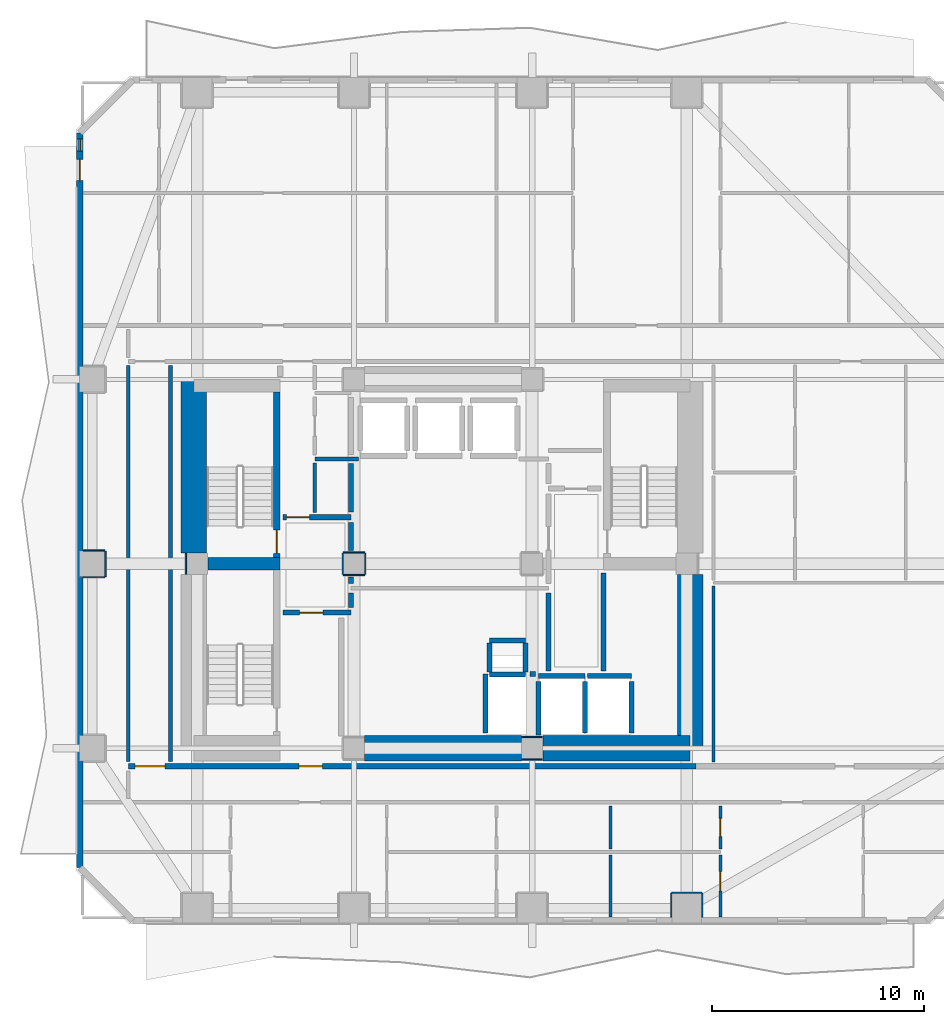
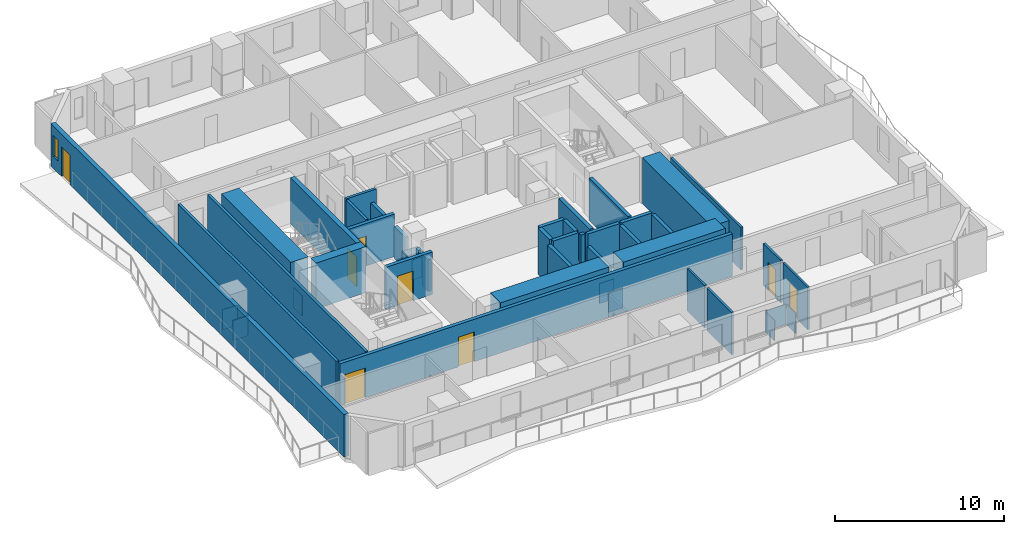
# One storey, part 3 of 11: 49 walls, 8 doors, 1 window, 9 openings.
"""IFC4 building model written with IfcOpenShell, lengths in metres."""

from ifc_helpers import new_model, si_unit, direction, frame, frame_2d, origin, place, context, subcontext, project, spatial, rectangle, extrude, material, layer, layer_set, type_object, element, fill, save


model = new_model("IFC4")

# Units and contexts
model_context = context("Model", 3, precision=1e-05, world=origin(), true_north=direction((0.0, 1.0)))
body_context = subcontext(model_context, "Body", "Model", "MODEL_VIEW")
ifc_project = project(units=[si_unit("LENGTHUNIT", "METRE"), si_unit("AREAUNIT", "SQUARE_METRE"), si_unit("VOLUMEUNIT", "CUBIC_METRE"), si_unit("PLANEANGLEUNIT", "RADIAN"), si_unit("MASSUNIT", "GRAM", prefix="KILO")], contexts=[model_context])

# Site, building, storey
site_placement = place(None, origin())
site = spatial("IfcSite", under=ifc_project, at=site_placement, CompositionType="ELEMENT")
building_placement = place(site_placement, origin())
building = spatial("IfcBuilding", under=site, at=building_placement, Name="Solanera Arch Residences", CompositionType="ELEMENT")
storey_placement = place(building_placement, frame((0.0, 0.0, 71.800048828125)))
storey = spatial("IfcBuildingStorey", under=building, at=storey_placement, Name="L20", CompositionType="ELEMENT", Elevation=71.800048828125)

# Walls
ifc_material_1 = material(Name="Fire-Rated Gypsum Stud Partition", Category="gypsum")
ifc_layer_1 = layer(ifc_material_1, 0.06005859375)
ifc_layer_set_1 = layer_set([ifc_layer_1], Name="Fire-Rated Gypsum Stud Partition")
wall_type_1 = type_object("IfcWallType", Name="Column Acoustic Furring Wall 60", PredefinedType="PARTITIONING", material=ifc_layer_set_1)
for number, where, z_axis, x_axis, name in (
    (1, (28.7099609375, 21.468017578125, 0.0), (0.0, 0.0, 1.0), (1.0, 0.0, 0.0), "L20 Column Furring 2S"),
    (2, (28.7099609375, 22.531982421875, 0.0), (0.0, 0.0, 1.0), (1.0, 0.0, 0.0), "L20 Column Furring 2N"),
    (3, (12.867919921875, 30.2099609375, 0.0), (0.0, 0.0, 1.0), (0.0, 1.0, 0.0), "L20 Column Furring 5W"),
):
    element("IfcWall", number, at=place(storey_placement, frame(where, z_axis=z_axis, x_axis=x_axis)), inside=storey, type_object=wall_type_1, Name=name, PredefinedType="PARTITIONING", context=body_context, shape_type="SweptSolid", body=[
        extrude(rectangle(XDim=0.97998046875, YDim=0.06005859375, at=frame_2d((0.489990234375, 0.0))), origin(), (0.0, 0.0, 1.0), 1.449951171875),
    ])
for number, where, z_axis, x_axis, name in (
    (4, (20.300048828125, 30.16796875, 0.0), (0.0, 0.0, 1.0), (1.0, 0.0, 0.0), "L20 Column Furring 7S"),
    (5, (20.300048828125, 31.23193359375, 0.0), (0.0, 0.0, 1.0), (1.0, 0.0, 0.0), "L20 Column Furring 7N"),
    (6, (20.26806640625, 30.199951171875, 0.0), (0.0, 0.0, 1.0), (0.0, 1.0, 0.0), "L20 Column Furring 7W"),
    (7, (21.33203125, 30.199951171875, 0.0), (0.0, 0.0, 1.0), (0.0, 1.0, 0.0), "L20 Column Furring 7E"),
):
    element("IfcWall", number, at=place(storey_placement, frame(where, z_axis=z_axis, x_axis=x_axis)), inside=storey, type_object=wall_type_1, Name=name, PredefinedType="PARTITIONING", context=body_context, shape_type="SweptSolid", body=[
        extrude(rectangle(XDim=1.0, YDim=0.06005859375, at=frame_2d((0.5, 0.0))), origin(), (0.0, 0.0, 1.0), 1.449951171875),
    ])
wall_1_placement = place(storey_placement, frame((35.800048828125, 15.181884765625, 0.0), z_axis=(0.0, 0.0, 1.0), x_axis=(1.0, 0.0, 0.0)))
element("IfcWall", 8, at=wall_1_placement, inside=storey, type_object=wall_type_1, Name="L20 Column Furring 15N", PredefinedType="PARTITIONING", context=body_context, shape_type="SweptSolid", body=[
    extrude(rectangle(XDim=1.39990234375, YDim=0.06005859375, at=frame_2d((0.699951171875, 0.0))), origin(), (0.0, 0.0, 1.0), 1.449951171875),
])
for number, where, z_axis, x_axis, name in (
    (9, (35.76806640625, 14.030029296875, 0.0), (0.0, 0.0, 1.0), (0.0, 1.0, 0.0), "L20 Column Furring 15W"),
    (10, (37.23193359375, 14.030029296875, 0.0), (0.0, 0.0, 1.0), (0.0, 1.0, 0.0), "L20 Column Furring 15E"),
):
    element("IfcWall", number, at=place(storey_placement, frame(where, z_axis=z_axis, x_axis=x_axis)), inside=storey, type_object=wall_type_1, Name=name, PredefinedType="PARTITIONING", context=body_context, shape_type="SweptSolid", body=[
        extrude(rectangle(XDim=1.119873046875, YDim=0.06005859375, at=frame_2d((0.56005859375, 0.0))), origin(), (0.0, 0.0, 1.0), 1.449951171875),
    ])
for number, where, z_axis, x_axis, name in (
    (11, (8.030029296875, 30.068115234375, 0.0), (0.0, 0.0, 1.0), (1.0, 0.0, 0.0), "L20 Column Furring 19S"),
    (12, (8.030029296875, 31.33203125, 0.0), (0.0, 0.0, 1.0), (1.0, 0.0, 0.0), "L20 Column Furring 19N"),
):
    element("IfcWall", number, at=place(storey_placement, frame(where, z_axis=z_axis, x_axis=x_axis)), inside=storey, type_object=wall_type_1, Name=name, PredefinedType="PARTITIONING", context=body_context, shape_type="SweptSolid", body=[
        extrude(rectangle(XDim=1.02001953125, YDim=0.06005859375, at=frame_2d((0.510009765625, 0.0))), origin(), (0.0, 0.0, 1.0), 1.449951171875),
    ])
wall_2_placement = place(storey_placement, frame((9.08203125, 30.10009765625, 0.0), z_axis=(0.0, 0.0, 1.0), x_axis=(0.0, 1.0, 0.0)))
element("IfcWall", 13, at=wall_2_placement, inside=storey, type_object=wall_type_1, Name="L20 Column Furring 19E", PredefinedType="PARTITIONING", context=body_context, shape_type="SweptSolid", body=[
    extrude(rectangle(XDim=1.199951171875, YDim=0.06005859375, at=frame_2d((0.60009765625, 0.0))), origin(), (0.0, 0.0, 1.0), 1.449951171875),
])
ifc_material_2 = material(Name="Concrete C55/67 (f'c = 60 MPa)", Category="concrete")
ifc_layer_2 = layer(ifc_material_2, 1.199951171875)
ifc_layer_set_2 = layer_set([ifc_layer_2], Name="Concrete C55/67 (f'c = 60 MPa)")
wall_type_2 = type_object("IfcWallType", Name="Core Shear Wall CW-1200", PredefinedType="SHEAR", material=ifc_layer_set_2)
wall_3_placement = place(storey_placement, frame((13.239990234375, 31.205078125, 0.0), z_axis=(0.0, 0.0, 1.0), x_axis=(0.0, 1.0, 0.0)))
element("IfcWall", 14, at=wall_3_placement, inside=storey, type_object=wall_type_2, Name="L20 West Core North Shear Wall", PredefinedType="SHEAR", context=body_context, shape_type="SweptSolid", body=[
    extrude(rectangle(XDim=8.19482421875, YDim=1.199951171875, at=frame_2d((4.097412109375, 0.0))), origin(), (0.0, 0.0, 1.0), 3.320068359375),
])
wall_4_placement = place(storey_placement, frame((36.659912109375, 22.0, 0.0), z_axis=(0.0, 0.0, 1.0), x_axis=(0.0, 1.0, 0.0)))
element("IfcWall", 15, at=wall_4_placement, inside=storey, type_object=wall_type_2, Name="L20 East Core South Shear Wall", PredefinedType="SHEAR", context=body_context, shape_type="SweptSolid", body=[
    extrude(rectangle(XDim=8.195068359375, YDim=1.199951171875, at=frame_2d((4.09765625, 0.0))), origin(), (0.0, 0.0, 1.0), 3.320068359375),
])
wall_5_placement = place(storey_placement, frame((29.705078125, 22.0, 0.0), z_axis=(0.0, 0.0, 1.0), x_axis=(1.0, 0.0, 0.0)))
element("IfcWall", 16, at=wall_5_placement, inside=storey, type_object=wall_type_2, Name="L20 South-East Core Shear Wall", PredefinedType="SHEAR", context=body_context, shape_type="SweptSolid", body=[
    extrude(rectangle(XDim=6.954833984375, YDim=1.199951171875, at=frame_2d((3.4775390625, 0.0))), origin(), (0.0, 0.0, 1.0), 3.320068359375),
])
wall_6_placement = place(storey_placement, frame((21.304931640625, 22.0, 0.0), z_axis=(0.0, 0.0, 1.0), x_axis=(1.0, 0.0, 0.0)))
element("IfcWall", 17, at=wall_6_placement, inside=storey, type_object=wall_type_2, Name="L20 Central South Core Shear Wall", PredefinedType="SHEAR", context=body_context, shape_type="SweptSolid", body=[
    extrude(rectangle(XDim=7.39013671875, YDim=1.199951171875, at=frame_2d((3.695068359375, 0.0))), origin(), (0.0, 0.0, 1.0), 3.320068359375),
])

# Wall, opening, door
ifc_material_3 = material(Name="Concrete C40/50 (f'c = 45 MPa)", Category="concrete")
ifc_layer_3 = layer(ifc_material_3, 0.320068359375)
ifc_layer_set_3 = layer_set([ifc_layer_3], Name="Concrete C40/50 (f'c = 45 MPa)")
wall_type_3 = type_object("IfcWallType", Name="Core Shear Wall CW-320", PredefinedType="SHEAR", material=ifc_layer_set_3)
wall_7_placement = place(storey_placement, frame((17.159912109375, 31.0, 0.0), z_axis=(0.0, 0.0, 1.0), x_axis=(0.0, 1.0, 0.0)))
wall_7 = element("IfcWall", 18, at=wall_7_placement, inside=storey, type_object=wall_type_3, Name="L20 Stair ST-T1 East Shear Wall", PredefinedType="SHEAR", context=body_context, shape_type="SweptSolid", body=[
    extrude(rectangle(XDim=7.800048828125, YDim=0.320068359375, at=frame_2d((3.89990234375, 0.0))), origin(), (0.0, 0.0, 1.0), 3.320068359375),
])
opening_1_placement = place(wall_7_placement, frame((0.18994140625, 0.0, 0.0)))
opening_1 = element("IfcOpeningElement", 19, at=opening_1_placement, cuts=wall_7, Name="Opening DF-01", PredefinedType="OPENING", context=body_context, shape_type="SweptSolid", body=[
    extrude(rectangle(XDim=1.10009765625, YDim=2.14990234375, at=frame_2d((0.550048828125, 1.074951171875))), frame((0.0, 0.169921875, 0.0), z_axis=(0.0, -1.0, 0.0), x_axis=(1.0, 0.0, 0.0)), (0.0, 0.0, 1.0), 0.3401),
])
ifc_material_4 = material(Name="Fire-Rated Architectural Hardwood", Category="wood")
door_type_1 = type_object("IfcDoorType", Name="Stair Exit Fire Door DF-01", OperationType="NOTDEFINED", PredefinedType="DOOR", material=ifc_material_4)
door_1_placement = place(opening_1_placement, origin())
door_1 = element("IfcDoor", 20, at=door_1_placement, inside=storey, type_object=door_type_1, Name="DR-L20-STAIR-ST-T1", OperationType="SINGLE_SWING_LEFT", OverallHeight=2.14990234375, OverallWidth=1.10009765625, PredefinedType="DOOR", context=body_context, shape_type="SweptSolid", body=[
    extrude(rectangle(XDim=1.10009765625, YDim=2.14990234375, at=frame_2d((0.550048828125, 1.074951171875))), frame((0.0, 0.02490234375, 0.0), z_axis=(0.0, -1.0, 0.0), x_axis=(1.0, 0.0, 0.0)), (0.0, 0.0, 1.0), 0.050048828125),
])
fill(opening_1, door_1)

# Walls
ifc_material_5 = material(Name="Concrete C40/50 (f'c = 45 MPa)", Category="concrete")
ifc_layer_4 = layer(ifc_material_5, 0.60009765625)
ifc_layer_set_4 = layer_set([ifc_layer_4], Name="Concrete C40/50 (f'c = 45 MPa)")
wall_type_4 = type_object("IfcWallType", Name="Core Shear Wall CW-600", PredefinedType="SHEAR", material=ifc_layer_set_4)
wall_8_placement = place(storey_placement, frame((13.905029296875, 30.699951171875, 0.0), z_axis=(0.0, 0.0, 1.0), x_axis=(1.0, 0.0, 0.0)))
element("IfcWall", 21, at=wall_8_placement, inside=storey, type_object=wall_type_4, Name="L20 West Stair Divider Shear Wall", PredefinedType="SHEAR", context=body_context, shape_type="SweptSolid", body=[
    extrude(rectangle(XDim=3.4150390625, YDim=0.60009765625, at=frame_2d((1.70751953125, 0.0))), origin(), (0.0, 0.0, 1.0), 3.320068359375),
])
ifc_material_6 = material(Name="Autoclaved Aerated Concrete Blockwork", Category="masonry")
ifc_layer_5 = layer(ifc_material_6, 0.179931640625)
ifc_layer_set_5 = layer_set([ifc_layer_5], Name="Autoclaved Aerated Concrete Blockwork")
wall_type_5 = type_object("IfcWallType", Name="Corridor Fire Partition 180", PredefinedType="PARTITIONING", material=ifc_layer_set_5)
wall_9_placement = place(storey_placement, frame((18.949951171875, 35.64990234375, 0.0), z_axis=(0.0, 0.0, 1.0), x_axis=(1.0, 0.0, 0.0)))
element("IfcWall", 22, at=wall_9_placement, inside=storey, type_object=wall_type_5, Name="L20 Interior Partition H8 1", PredefinedType="PARTITIONING", context=body_context, shape_type="SweptSolid", body=[
    extrude(rectangle(XDim=2.05712890625, YDim=0.179931640625, at=frame_2d((1.028564453125, 0.0))), origin(), (0.0, 0.0, 1.0), 3.06005859375),
])
for number, where, z_axis, x_axis, name in (
    (23, (10.14990234375, 21.367919921875, 0.0), (0.0, 0.0, 1.0), (0.0, 1.0, 0.0), "L20 Interior Partition V6 2"),
    (24, (12.14990234375, 21.367919921875, 0.0), (0.0, 0.0, 1.0), (0.0, 1.0, 0.0), "L20 Interior Partition V7"),
):
    element("IfcWall", number, at=place(storey_placement, frame(where, z_axis=z_axis, x_axis=x_axis)), inside=storey, type_object=wall_type_5, Name=name, PredefinedType="PARTITIONING", context=body_context, shape_type="SweptSolid", body=[
        extrude(rectangle(XDim=18.694091796875, YDim=0.179931640625, at=frame_2d((9.34716796875, 0.0))), origin(), (0.0, 0.0, 1.0), 3.06005859375),
    ])
wall_10_placement = place(storey_placement, frame((18.949951171875, 33.117919921875, 0.0), z_axis=(0.0, 0.0, 1.0), x_axis=(0.0, 1.0, 0.0)))
element("IfcWall", 25, at=wall_10_placement, inside=storey, type_object=wall_type_5, Name="L20 Interior Partition V8 1", PredefinedType="PARTITIONING", context=body_context, shape_type="SweptSolid", body=[
    extrude(rectangle(XDim=2.343994140625, YDim=0.179931640625, at=frame_2d((1.171875, 0.0))), origin(), (0.0, 0.0, 1.0), 3.06005859375),
])

# Wall, openings, door, window
ifc_material_7 = material(Name="Precast Concrete C35/45", Category="concrete")
ifc_layer_6 = layer(ifc_material_7, 0.300048828125)
ifc_layer_set_6 = layer_set([ifc_layer_6], Name="Precast Concrete C35/45")
wall_type_6 = type_object("IfcWallType", Name="Exterior Wall Precast Masonry-Frame 300", PredefinedType="STANDARD", material=ifc_layer_set_6)
wall_11_placement = place(storey_placement, frame((7.864990234375, 16.364990234375, 0.0), z_axis=(0.0, 0.0, 1.0), x_axis=(0.0, 1.0, 0.0)))
wall_11 = element("IfcWall", 26, at=wall_11_placement, inside=storey, type_object=wall_type_6, Name="L20 Tower Exterior Precast Masonry-Frame Wall W", PredefinedType="STANDARD", context=body_context, shape_type="SweptSolid", body=[
    extrude(rectangle(XDim=34.669921875, YDim=0.300048828125, at=frame_2d((17.3349609375, 0.0))), origin(), (0.0, 0.0, 1.0), 3.06005859375),
])
opening_2_placement = place(wall_11_placement, frame((32.4189453125, 0.0, 0.0)))
opening_2 = element("IfcOpeningElement", 27, at=opening_2_placement, cuts=wall_11, Name="Opening DB-01", PredefinedType="OPENING", context=body_context, shape_type="SweptSolid", body=[
    extrude(rectangle(XDim=1.0, YDim=2.14990234375, at=frame_2d((0.5, 1.074951171875))), frame((0.0, 0.159912109375, 0.0), z_axis=(0.0, -1.0, 0.0), x_axis=(1.0, 0.0, 0.0)), (0.0, 0.0, 1.0), 0.32),
])
opening_3_placement = place(wall_11_placement, frame((33.80908203125, 0.0, 0.85009765625)))
opening_3 = element("IfcOpeningElement", 28, at=opening_3_placement, cuts=wall_11, Name="Opening W-14", PredefinedType="OPENING", context=body_context, shape_type="SweptSolid", body=[
    extrude(rectangle(XDim=0.580078125, YDim=1.5, at=frame_2d((0.2900390625, 0.75))), frame((0.0, 0.159912109375, 0.0), z_axis=(0.0, -1.0, 0.0), x_axis=(1.0, 0.0, 0.0)), (0.0, 0.0, 1.0), 0.32),
])
ifc_material_8 = material(Name="Anodised Aluminium Alloy 6063-T6", Category="aluminium")
door_type_2 = type_object("IfcDoorType", Name="Glazed Balcony Swing Door DB-01", OperationType="NOTDEFINED", PredefinedType="DOOR", material=ifc_material_8)
door_2_placement = place(opening_2_placement, origin())
door_2 = element("IfcDoor", 29, at=door_2_placement, inside=storey, type_object=door_type_2, Name="DR-L20-OUT-04", OperationType="SINGLE_SWING_LEFT", OverallHeight=2.14990234375, OverallWidth=1.0, PredefinedType="DOOR", context=body_context, shape_type="SweptSolid", body=[
    extrude(rectangle(XDim=1.0, YDim=2.14990234375, at=frame_2d((0.5, 1.074951171875))), frame((0.0, 0.02490234375, 0.0), z_axis=(0.0, -1.0, 0.0), x_axis=(1.0, 0.0, 0.0)), (0.0, 0.0, 1.0), 0.050048828125),
])
fill(opening_2, door_2)
ifc_material_9 = material(Name="Double Glazed Low-E Laminated Glass", Category="glass")
window_type = type_object("IfcWindowType", Name="Punched Window W-14", PartitioningType="SINGLE_PANEL", PredefinedType="WINDOW", material=ifc_material_9)
window_placement = place(opening_3_placement, origin())
window = element("IfcWindow", 30, at=window_placement, inside=storey, type_object=window_type, Name="L20 2003-BR1 Punched Window", OverallHeight=1.5, OverallWidth=0.580078125, PartitioningType="SINGLE_PANEL", PredefinedType="WINDOW", context=body_context, shape_type="SweptSolid", body=[
    extrude(rectangle(XDim=0.580078125, YDim=1.5, at=frame_2d((0.2900390625, 0.75))), frame((0.0, 0.030029296875, 0.0), z_axis=(0.0, -1.0, 0.0), x_axis=(1.0, 0.0, 0.0)), (0.0, 0.0, 1.0), 0.06005859375),
])
fill(opening_3, window)

# Walls
ifc_material_10 = material(Name="Concrete C40/50 (f'c = 45 MPa)", Category="concrete")
ifc_layer_7 = layer(ifc_material_10, 0.239990234375)
ifc_layer_set_7 = layer_set([ifc_layer_7], Name="Concrete C40/50 (f'c = 45 MPa)")
wall_type_7 = type_object("IfcWallType", Name="Ramp Bearing Shear Wall RW-240", PredefinedType="SHEAR", material=ifc_layer_set_7)
for number, where, z_axis, x_axis, name in (
    (31, (27.199951171875, 25.47998046875, 0.0), (0.0, 0.0, 1.0), (1.0, 0.0, 0.0), "L20 Core MEP Riser South Shaft Wall"),
    (32, (27.199951171875, 27.080078125, 0.0), (0.0, 0.0, 1.0), (1.0, 0.0, 0.0), "L20 Core MEP Riser North Shaft Wall"),
):
    element("IfcWall", number, at=place(storey_placement, frame(where, z_axis=z_axis, x_axis=x_axis)), inside=storey, type_object=wall_type_7, Name=name, PredefinedType="SHEAR", context=body_context, shape_type="SweptSolid", body=[
        extrude(rectangle(XDim=1.699951171875, YDim=0.239990234375, at=frame_2d((0.85009765625, 0.0))), origin(), (0.0, 0.0, 1.0), 3.320068359375),
    ])
for number, where, z_axis, x_axis, name in (
    (33, (27.199951171875, 25.60009765625, 0.0), (0.0, 0.0, 1.0), (0.0, 1.0, 0.0), "L20 Core MEP Riser West Shaft Wall"),
    (34, (28.89990234375, 25.60009765625, 0.0), (0.0, 0.0, 1.0), (0.0, 1.0, 0.0), "L20 Core MEP Riser East Shaft Wall"),
):
    element("IfcWall", number, at=place(storey_placement, frame(where, z_axis=z_axis, x_axis=x_axis)), inside=storey, type_object=wall_type_7, Name=name, PredefinedType="SHEAR", context=body_context, shape_type="SweptSolid", body=[
        extrude(rectangle(XDim=1.35986328125, YDim=0.239990234375, at=frame_2d((0.679931640625, 0.0))), origin(), (0.0, 0.0, 1.0), 3.320068359375),
    ])
ifc_material_11 = material(Name="Autoclaved Aerated Concrete Blockwork", Category="masonry")
ifc_layer_8 = layer(ifc_material_11, 0.239990234375)
ifc_layer_set_8 = layer_set([ifc_layer_8], Name="Autoclaved Aerated Concrete Blockwork")
wall_type_8 = type_object("IfcWallType", Name="Shaft Wall Fire-Rated 240", PredefinedType="PARTITIONING", material=ifc_layer_set_8)
wall_12_placement = place(storey_placement, frame((29.5, 25.39990234375, 0.0), z_axis=(0.0, 0.0, 1.0), x_axis=(1.0, 0.0, 0.0)))
element("IfcWall", 35, at=wall_12_placement, inside=storey, type_object=wall_type_8, Name="L20 Lift FFL-1 Hoistway Wall N", PredefinedType="PARTITIONING", context=body_context, shape_type="SweptSolid", body=[
    extrude(rectangle(XDim=2.199951171875, YDim=0.239990234375, at=frame_2d((1.10009765625, 0.0))), origin(), (0.0, 0.0, 1.0), 3.06005859375),
])
wall_13_placement = place(storey_placement, frame((29.5, 22.632080078125, 0.0), z_axis=(0.0, 0.0, 1.0), x_axis=(0.0, 1.0, 0.0)))
element("IfcWall", 36, at=wall_13_placement, inside=storey, type_object=wall_type_8, Name="L20 Lift FFL-1 Hoistway Wall W", PredefinedType="PARTITIONING", context=body_context, shape_type="SweptSolid", body=[
    extrude(rectangle(XDim=2.52001953125, YDim=0.239990234375, at=frame_2d((1.260009765625, 0.0))), origin(), (0.0, 0.0, 1.0), 2.294921875),
])
wall_14_placement = place(storey_placement, frame((31.699951171875, 22.72998046875, 0.0), z_axis=(0.0, 0.0, 1.0), x_axis=(0.0, 1.0, 0.0)))
element("IfcWall", 37, at=wall_14_placement, inside=storey, type_object=wall_type_8, Name="L20 Lift FFL-1 Hoistway Wall E", PredefinedType="PARTITIONING", context=body_context, shape_type="SweptSolid", body=[
    extrude(rectangle(XDim=2.422119140625, YDim=0.239990234375, at=frame_2d((1.2109375, 0.0))), origin(), (0.0, 0.0, 1.0), 3.06005859375),
])
wall_15_placement = place(storey_placement, frame((31.827880859375, 25.39990234375, 0.0), z_axis=(0.0, 0.0, 1.0), x_axis=(1.0, 0.0, 0.0)))
element("IfcWall", 38, at=wall_15_placement, inside=storey, type_object=wall_type_8, Name="L20 Lift FFL-2 Hoistway Wall N", PredefinedType="PARTITIONING", context=body_context, shape_type="SweptSolid", body=[
    extrude(rectangle(XDim=2.072021484375, YDim=0.239990234375, at=frame_2d((1.0361328125, 0.0))), origin(), (0.0, 0.0, 1.0), 3.06005859375),
])
wall_16_placement = place(storey_placement, frame((33.89990234375, 22.72998046875, 0.0), z_axis=(0.0, 0.0, 1.0), x_axis=(0.0, 1.0, 0.0)))
element("IfcWall", 39, at=wall_16_placement, inside=storey, type_object=wall_type_8, Name="L20 Lift FFL-2 Hoistway Wall E", PredefinedType="PARTITIONING", context=body_context, shape_type="SweptSolid", body=[
    extrude(rectangle(XDim=2.422119140625, YDim=0.239990234375, at=frame_2d((1.2109375, 0.0))), origin(), (0.0, 0.0, 1.0), 3.06005859375),
])
wall_17_placement = place(storey_placement, frame((29.10302734375, 25.5, 0.0), z_axis=(0.0, 0.0, 1.0), x_axis=(1.0, 0.0, 0.0)))
element("IfcWall", 40, at=wall_17_placement, inside=storey, type_object=wall_type_8, Name="L20 Lift SVL-1 Hoistway Wall N", PredefinedType="PARTITIONING", context=body_context, shape_type="SweptSolid", body=[
    extrude(rectangle(XDim=0.26904296875, YDim=0.239990234375, at=frame_2d((0.134521484375, 0.0))), origin(), (0.0, 0.0, 1.0), 3.06005859375),
])
wall_18_placement = place(storey_placement, frame((27.0, 22.72998046875, 0.0), z_axis=(0.0, 0.0, 1.0), x_axis=(0.0, 1.0, 0.0)))
element("IfcWall", 41, at=wall_18_placement, inside=storey, type_object=wall_type_8, Name="L20 Lift SVL-1 Hoistway Wall W", PredefinedType="PARTITIONING", context=body_context, shape_type="SweptSolid", body=[
    extrude(rectangle(XDim=2.76806640625, YDim=0.239990234375, at=frame_2d((1.384033203125, 0.0))), origin(), (0.0, 0.0, 1.0), 3.06005859375),
])

# Wall, openings, doors
wall_19_placement = place(storey_placement, frame((10.14990234375, 21.14990234375, 0.0), z_axis=(0.0, 0.0, 1.0), x_axis=(1.0, 0.0, 0.0)))
wall_19 = element("IfcWall", 42, at=wall_19_placement, inside=storey, type_object=wall_type_8, Name="L20 Interior Partition H1 1", PredefinedType="PARTITIONING", context=body_context, shape_type="SweptSolid", body=[
    extrude(rectangle(XDim=26.779052734375, YDim=0.239990234375, at=frame_2d((13.3896484375, 0.0))), origin(), (0.0, 0.0, 1.0), 3.06005859375),
])
opening_4_placement = place(wall_19_placement, frame((8.06005859375, 0.0, 0.0)))
opening_4 = element("IfcOpeningElement", 43, at=opening_4_placement, cuts=wall_19, Name="Opening DF-02", PredefinedType="OPENING", context=body_context, shape_type="SweptSolid", body=[
    extrude(rectangle(XDim=1.10009765625, YDim=2.14990234375, at=frame_2d((0.550048828125, 1.074951171875))), frame((0.0, 0.1298828125, 0.0), z_axis=(0.0, -1.0, 0.0), x_axis=(1.0, 0.0, 0.0)), (0.0, 0.0, 1.0), 0.26),
])
opening_5_placement = place(wall_19_placement, frame((0.323974609375, 0.0, 0.0)))
opening_5 = element("IfcOpeningElement", 44, at=opening_5_placement, cuts=wall_19, Name="Opening DF-03", PredefinedType="OPENING", context=body_context, shape_type="SweptSolid", body=[
    extrude(rectangle(XDim=1.39990234375, YDim=2.14990234375, at=frame_2d((0.699951171875, 1.074951171875))), frame((0.0, 0.1298828125, 0.0), z_axis=(0.0, -1.0, 0.0), x_axis=(1.0, 0.0, 0.0)), (0.0, 0.0, 1.0), 0.26),
])
ifc_material_12 = material(Name="Fire-Rated Architectural Hardwood", Category="wood")
door_type_3 = type_object("IfcDoorType", Name="Corridor Smoke Door DF-03", OperationType="NOTDEFINED", PredefinedType="DOOR", material=ifc_material_12)
door_3_placement = place(opening_5_placement, origin())
door_3 = element("IfcDoor", 45, at=door_3_placement, inside=storey, type_object=door_type_3, Name="DR-L20-IN-010", OperationType="SINGLE_SWING_RIGHT", OverallHeight=2.14990234375, OverallWidth=1.39990234375, PredefinedType="DOOR", context=body_context, shape_type="SweptSolid", body=[
    extrude(rectangle(XDim=1.39990234375, YDim=2.14990234375, at=frame_2d((0.699951171875, 1.074951171875))), frame((0.0, 0.02490234375, 0.0), z_axis=(0.0, -1.0, 0.0), x_axis=(1.0, 0.0, 0.0)), (0.0, 0.0, 1.0), 0.050048828125),
])
fill(opening_5, door_3)
ifc_material_13 = material(Name="Fire-Rated Architectural Hardwood", Category="wood")
door_type_4 = type_object("IfcDoorType", Name="Firefighting Lobby Fire Door DF-02", OperationType="NOTDEFINED", PredefinedType="DOOR", material=ifc_material_13)
door_4_placement = place(opening_4_placement, origin())
door_4 = element("IfcDoor", 46, at=door_4_placement, inside=storey, type_object=door_type_4, Name="DR-L20-IN-008", OperationType="SINGLE_SWING_RIGHT", OverallHeight=2.14990234375, OverallWidth=1.10009765625, PredefinedType="DOOR", context=body_context, shape_type="SweptSolid", body=[
    extrude(rectangle(XDim=1.10009765625, YDim=2.14990234375, at=frame_2d((0.550048828125, 1.074951171875))), frame((0.0, 0.02490234375, 0.0), z_axis=(0.0, -1.0, 0.0), x_axis=(1.0, 0.0, 0.0)), (0.0, 0.0, 1.0), 0.050048828125),
])
fill(opening_4, door_4)

# Wall, opening, door
wall_20_placement = place(storey_placement, frame((17.449951171875, 28.39990234375, 0.0), z_axis=(0.0, 0.0, 1.0), x_axis=(1.0, 0.0, 0.0)))
wall_20 = element("IfcWall", 47, at=wall_20_placement, inside=storey, type_object=wall_type_8, Name="L20 Interior Partition H3", PredefinedType="PARTITIONING", context=body_context, shape_type="SweptSolid", body=[
    extrude(rectangle(XDim=3.199951171875, YDim=0.239990234375, at=frame_2d((1.60009765625, 0.0))), origin(), (0.0, 0.0, 1.0), 3.06005859375),
])
opening_6_placement = place(wall_20_placement, frame((0.783935546875, 0.0, 0.0)))
opening_6 = element("IfcOpeningElement", 48, at=opening_6_placement, cuts=wall_20, Name="Opening DF-02", PredefinedType="OPENING", context=body_context, shape_type="SweptSolid", body=[
    extrude(rectangle(XDim=1.10009765625, YDim=2.14990234375, at=frame_2d((0.550048828125, 1.074951171875))), frame((0.0, 0.1298828125, 0.0), z_axis=(0.0, -1.0, 0.0), x_axis=(1.0, 0.0, 0.0)), (0.0, 0.0, 1.0), 0.26),
])
door_5_placement = place(opening_6_placement, origin())
door_5 = element("IfcDoor", 49, at=door_5_placement, inside=storey, type_object=door_type_4, Name="DR-L20-IN-004", OperationType="SINGLE_SWING_RIGHT", OverallHeight=2.14990234375, OverallWidth=1.10009765625, PredefinedType="DOOR", context=body_context, shape_type="SweptSolid", body=[
    extrude(rectangle(XDim=1.10009765625, YDim=2.14990234375, at=frame_2d((0.550048828125, 1.074951171875))), frame((0.0, 0.02490234375, 0.0), z_axis=(0.0, -1.0, 0.0), x_axis=(1.0, 0.0, 0.0)), (0.0, 0.0, 1.0), 0.050048828125),
])
fill(opening_6, door_5)

wall_21_placement = place(storey_placement, frame((17.449951171875, 32.89990234375, 0.0), z_axis=(0.0, 0.0, 1.0), x_axis=(1.0, 0.0, 0.0)))
wall_21 = element("IfcWall", 50, at=wall_21_placement, inside=storey, type_object=wall_type_8, Name="L20 Interior Partition H4", PredefinedType="PARTITIONING", context=body_context, shape_type="SweptSolid", body=[
    extrude(rectangle(XDim=3.199951171875, YDim=0.239990234375, at=frame_2d((1.60009765625, 0.0))), origin(), (0.0, 0.0, 1.0), 3.06005859375),
])
opening_7_placement = place(wall_21_placement, frame((0.158935546875, 0.0, 0.0)))
opening_7 = element("IfcOpeningElement", 51, at=opening_7_placement, cuts=wall_21, Name="Opening DF-02", PredefinedType="OPENING", context=body_context, shape_type="SweptSolid", body=[
    extrude(rectangle(XDim=1.10009765625, YDim=2.14990234375, at=frame_2d((0.550048828125, 1.074951171875))), frame((0.0, 0.1298828125, 0.0), z_axis=(0.0, -1.0, 0.0), x_axis=(1.0, 0.0, 0.0)), (0.0, 0.0, 1.0), 0.26),
])
door_6_placement = place(opening_7_placement, origin())
door_6 = element("IfcDoor", 52, at=door_6_placement, inside=storey, type_object=door_type_4, Name="DR-L20-IN-005", OperationType="SINGLE_SWING_LEFT", OverallHeight=2.14990234375, OverallWidth=1.10009765625, PredefinedType="DOOR", context=body_context, shape_type="SweptSolid", body=[
    extrude(rectangle(XDim=1.10009765625, YDim=2.14990234375, at=frame_2d((0.550048828125, 1.074951171875))), frame((0.0, 0.02490234375, 0.0), z_axis=(0.0, -1.0, 0.0), x_axis=(1.0, 0.0, 0.0)), (0.0, 0.0, 1.0), 0.050048828125),
])
fill(opening_7, door_6)

# Walls
wall_22_placement = place(storey_placement, frame((20.64990234375, 28.64794921875, 0.0), z_axis=(0.0, 0.0, 1.0), x_axis=(0.0, 1.0, 0.0)))
element("IfcWall", 53, at=wall_22_placement, inside=storey, type_object=wall_type_8, Name="L20 Interior Partition V3 1", PredefinedType="PARTITIONING", context=body_context, shape_type="SweptSolid", body=[
    extrude(rectangle(XDim=0.68408203125, YDim=0.239990234375, at=frame_2d((0.342041015625, 0.0))), origin(), (0.0, 0.0, 1.0), 2.294921875),
])
wall_23_placement = place(storey_placement, frame((20.64990234375, 29.76806640625, 0.0), z_axis=(0.0, 0.0, 1.0), x_axis=(0.0, 1.0, 0.0)))
element("IfcWall", 54, at=wall_23_placement, inside=storey, type_object=wall_type_8, Name="L20 Interior Partition V3 2", PredefinedType="PARTITIONING", context=body_context, shape_type="SweptSolid", body=[
    extrude(rectangle(XDim=0.300048828125, YDim=0.239990234375, at=frame_2d((0.14990234375, 0.0))), origin(), (0.0, 0.0, 1.0), 2.294921875),
])
wall_24_placement = place(storey_placement, frame((20.64990234375, 31.33203125, 0.0), z_axis=(0.0, 0.0, 1.0), x_axis=(0.0, 1.0, 0.0)))
element("IfcWall", 55, at=wall_24_placement, inside=storey, type_object=wall_type_8, Name="L20 Interior Partition V3 3", PredefinedType="PARTITIONING", context=body_context, shape_type="SweptSolid", body=[
    extrude(rectangle(XDim=1.320068359375, YDim=0.239990234375, at=frame_2d((0.66015625, 0.0))), origin(), (0.0, 0.0, 1.0), 2.294921875),
])
wall_25_placement = place(storey_placement, frame((20.64990234375, 33.14794921875, 0.0), z_axis=(0.0, 0.0, 1.0), x_axis=(0.0, 1.0, 0.0)))
element("IfcWall", 56, at=wall_25_placement, inside=storey, type_object=wall_type_8, Name="L20 Interior Partition V3 4", PredefinedType="PARTITIONING", context=body_context, shape_type="SweptSolid", body=[
    extrude(rectangle(XDim=2.283935546875, YDim=0.239990234375, at=frame_2d((1.14208984375, 0.0))), origin(), (0.0, 0.0, 1.0), 2.294921875),
])
wall_26_placement = place(storey_placement, frame((29.97509765625, 25.64794921875, 0.0), z_axis=(0.0, 0.0, 1.0), x_axis=(0.0, 1.0, 0.0)))
element("IfcWall", 57, at=wall_26_placement, inside=storey, type_object=wall_type_8, Name="L20 Interior Partition V4 1", PredefinedType="PARTITIONING", context=body_context, shape_type="SweptSolid", body=[
    extrude(rectangle(XDim=3.68408203125, YDim=0.239990234375, at=frame_2d((1.842041015625, 0.0))), origin(), (0.0, 0.0, 1.0), 3.06005859375),
])
wall_27_placement = place(storey_placement, frame((32.580078125, 25.64794921875, 0.0), z_axis=(0.0, 0.0, 1.0), x_axis=(0.0, 1.0, 0.0)))
element("IfcWall", 58, at=wall_27_placement, inside=storey, type_object=wall_type_8, Name="L20 Interior Partition V5", PredefinedType="PARTITIONING", context=body_context, shape_type="SweptSolid", body=[
    extrude(rectangle(XDim=4.6220703125, YDim=0.239990234375, at=frame_2d((2.31103515625, 0.0))), origin(), (0.0, 0.0, 1.0), 3.06005859375),
])
ifc_material_14 = material(Name="Autoclaved Aerated Concrete Blockwork", Category="masonry")
ifc_layer_9 = layer(ifc_material_14, 0.139892578125)
ifc_layer_set_9 = layer_set([ifc_layer_9], Name="Autoclaved Aerated Concrete Blockwork")
wall_type_9 = type_object("IfcWallType", Name="Wet-Room Partition 140", PredefinedType="PARTITIONING", material=ifc_layer_set_9)
wall_28_placement = place(storey_placement, frame((32.89208984375, 14.027099609375, 0.0), z_axis=(0.0, 0.0, 1.0), x_axis=(0.0, 1.0, 0.0)))
element("IfcWall", 59, at=wall_28_placement, inside=storey, type_object=wall_type_9, Name="L20 Interior Partition V17 1", PredefinedType="PARTITIONING", context=body_context, shape_type="SweptSolid", body=[
    extrude(rectangle(XDim=2.931884765625, YDim=0.139892578125, at=frame_2d((1.4658203125, 0.0))), origin(), (0.0, 0.0, 1.0), 3.06005859375),
])
wall_29_placement = place(storey_placement, frame((32.89208984375, 17.2548828125, 0.0), z_axis=(0.0, 0.0, 1.0), x_axis=(0.0, 1.0, 0.0)))
element("IfcWall", 60, at=wall_29_placement, inside=storey, type_object=wall_type_9, Name="L20 Interior Partition V17 2", PredefinedType="PARTITIONING", context=body_context, shape_type="SweptSolid", body=[
    extrude(rectangle(XDim=2.027099609375, YDim=0.139892578125, at=frame_2d((1.013671875, 0.0))), origin(), (0.0, 0.0, 1.0), 3.06005859375),
])
wall_30_placement = place(storey_placement, frame((37.75, 21.347900390625, 0.0), z_axis=(0.0, 0.0, 1.0), x_axis=(0.0, 1.0, 0.0)))
element("IfcWall", 61, at=wall_30_placement, inside=storey, type_object=wall_type_9, Name="L20 Interior Partition V18 1", PredefinedType="PARTITIONING", context=body_context, shape_type="SweptSolid", body=[
    extrude(rectangle(XDim=8.314208984375, YDim=0.139892578125, at=frame_2d((4.1572265625, 0.0))), origin(), (0.0, 0.0, 1.0), 3.06005859375),
])

# Wall, opening, door
wall_31_placement = place(storey_placement, frame((38.083984375, 14.027099609375, 0.0), z_axis=(0.0, 0.0, 1.0), x_axis=(0.0, 1.0, 0.0)))
wall_31 = element("IfcWall", 62, at=wall_31_placement, inside=storey, type_object=wall_type_9, Name="L20 Interior Partition V19 1", PredefinedType="PARTITIONING", context=body_context, shape_type="SweptSolid", body=[
    extrude(rectangle(XDim=2.931884765625, YDim=0.139892578125, at=frame_2d((1.4658203125, 0.0))), origin(), (0.0, 0.0, 1.0), 3.06005859375),
])
opening_8_placement = place(wall_31_placement, frame((1.2490234375, 0.0, 0.0)))
opening_8 = element("IfcOpeningElement", 63, at=opening_8_placement, cuts=wall_31, Name="Opening DI-03", PredefinedType="OPENING", context=body_context, shape_type="SweptSolid", body=[
    extrude(rectangle(XDim=0.89990234375, YDim=2.10009765625, at=frame_2d((0.449951171875, 1.050048828125))), frame((0.0, 0.079833984375, 0.0), z_axis=(0.0, -1.0, 0.0), x_axis=(1.0, 0.0, 0.0)), (0.0, 0.0, 1.0), 0.1599),
])
ifc_material_15 = material(Name="Fire-Rated Architectural Hardwood", Category="wood")
door_type_5 = type_object("IfcDoorType", Name="Bedroom Swing Door DI-03", OperationType="NOTDEFINED", PredefinedType="DOOR", material=ifc_material_15)
door_7_placement = place(opening_8_placement, origin())
door_7 = element("IfcDoor", 64, at=door_7_placement, inside=storey, type_object=door_type_5, Name="DR-L20-IN-022", OperationType="SINGLE_SWING_RIGHT", OverallHeight=2.10009765625, OverallWidth=0.89990234375, PredefinedType="DOOR", context=body_context, shape_type="SweptSolid", body=[
    extrude(rectangle(XDim=0.89990234375, YDim=2.10009765625, at=frame_2d((0.449951171875, 1.050048828125))), frame((0.0, 0.02490234375, 0.0), z_axis=(0.0, -1.0, 0.0), x_axis=(1.0, 0.0, 0.0)), (0.0, 0.0, 1.0), 0.050048828125),
])
fill(opening_8, door_7)

wall_32_placement = place(storey_placement, frame((38.083984375, 17.2548828125, 0.0), z_axis=(0.0, 0.0, 1.0), x_axis=(0.0, 1.0, 0.0)))
wall_32 = element("IfcWall", 65, at=wall_32_placement, inside=storey, type_object=wall_type_9, Name="L20 Interior Partition V19 2", PredefinedType="PARTITIONING", context=body_context, shape_type="SweptSolid", body=[
    extrude(rectangle(XDim=2.027099609375, YDim=0.139892578125, at=frame_2d((1.013671875, 0.0))), origin(), (0.0, 0.0, 1.0), 3.06005859375),
])
opening_9_placement = place(wall_32_placement, frame((0.5810546875, 0.0, 0.0)))
opening_9 = element("IfcOpeningElement", 66, at=opening_9_placement, cuts=wall_32, Name="Opening DI-05", PredefinedType="OPENING", context=body_context, shape_type="SweptSolid", body=[
    extrude(rectangle(XDim=0.860107421875, YDim=2.02001953125, at=frame_2d((0.43017578125, 1.010009765625))), frame((0.0, 0.079833984375, 0.0), z_axis=(0.0, -1.0, 0.0), x_axis=(1.0, 0.0, 0.0)), (0.0, 0.0, 1.0), 0.1599),
])
ifc_material_16 = material(Name="Fire-Rated Architectural Hardwood", Category="wood")
door_type_6 = type_object("IfcDoorType", Name="Bathroom Swing Door DI-05", OperationType="NOTDEFINED", PredefinedType="DOOR", material=ifc_material_16)
door_8_placement = place(opening_9_placement, origin())
door_8 = element("IfcDoor", 67, at=door_8_placement, inside=storey, type_object=door_type_6, Name="DR-L20-IN-021", OperationType="SINGLE_SWING_LEFT", OverallHeight=2.02001953125, OverallWidth=0.860107421875, PredefinedType="DOOR", context=body_context, shape_type="SweptSolid", body=[
    extrude(rectangle(XDim=0.860107421875, YDim=2.02001953125, at=frame_2d((0.43017578125, 1.010009765625))), frame((0.0, 0.02490234375, 0.0), z_axis=(0.0, -1.0, 0.0), x_axis=(1.0, 0.0, 0.0)), (0.0, 0.0, 1.0), 0.050048828125),
])
fill(opening_9, door_8)

save(model, "model.ifc")
